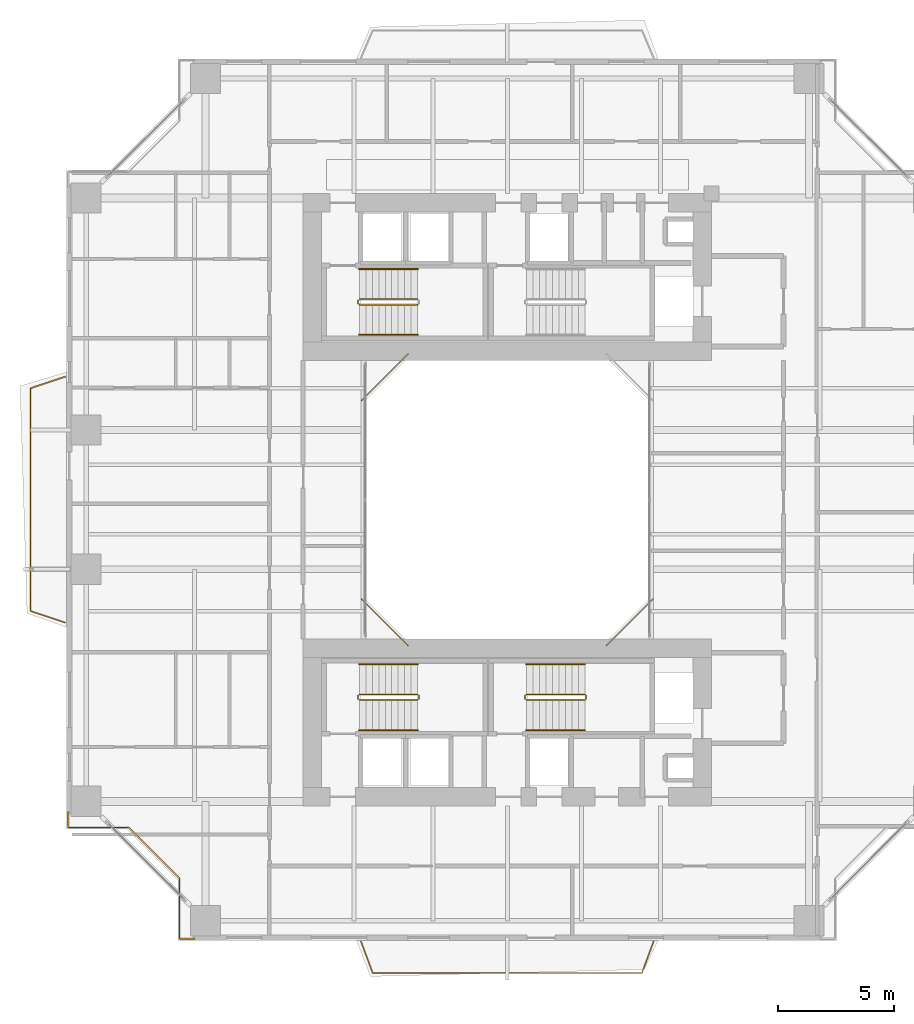
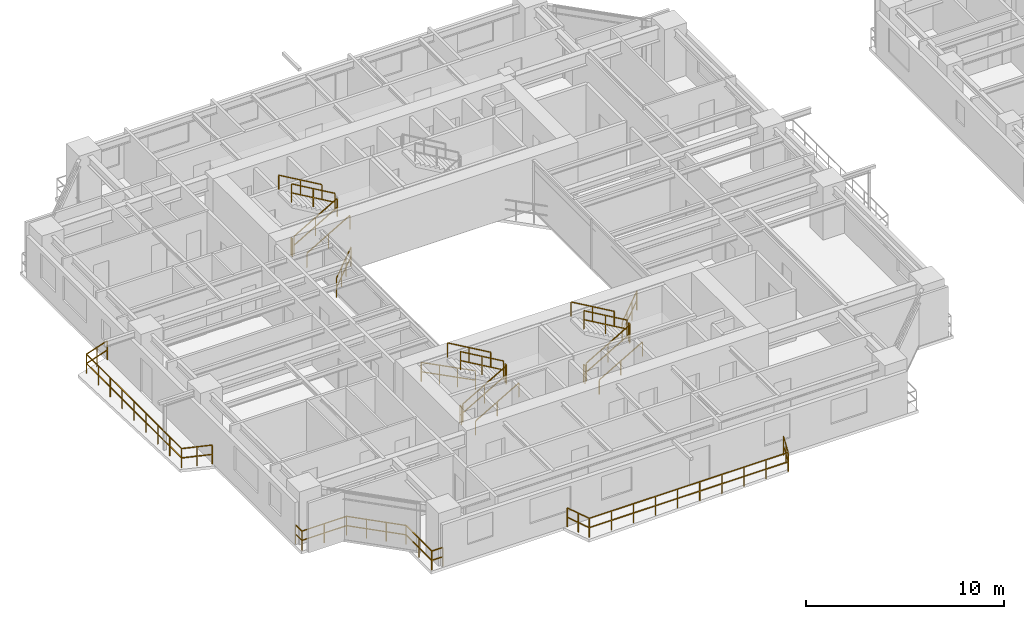
# One storey, part 20 of 23: 23 railings.
"""IFC4 building model written with IfcOpenShell, lengths in metres."""

from ifc_helpers import new_model, si_unit, direction, frame, origin, origin_2d, place, context, subcontext, project, spatial, rectangle, extrude, material, type_object, element, save


model = new_model("IFC4")

# Units and contexts
model_context = context("Model", 3, precision=1e-05, world=origin(), true_north=direction((0.0, 1.0)))
body_context = subcontext(model_context, "Body", "Model", "MODEL_VIEW")
ifc_project = project(units=[si_unit("LENGTHUNIT", "METRE"), si_unit("AREAUNIT", "SQUARE_METRE"), si_unit("VOLUMEUNIT", "CUBIC_METRE"), si_unit("PLANEANGLEUNIT", "RADIAN"), si_unit("MASSUNIT", "GRAM", prefix="KILO"), si_unit("THERMODYNAMICTEMPERATUREUNIT", "KELVIN"), si_unit("POWERUNIT", "WATT")], contexts=[model_context])

# Site, building, storey
site_placement = place(None, origin())
site = spatial("IfcSite", under=ifc_project, at=site_placement, CompositionType="ELEMENT")
building_placement = place(site_placement, origin())
building = spatial("IfcBuilding", under=site, at=building_placement, Name="Qiaomeng Ring Towers", CompositionType="ELEMENT")
storey_placement = place(building_placement, frame((0.0, 0.0, 60.0)))
storey = spatial("IfcBuildingStorey", under=building, at=storey_placement, Name="L16", CompositionType="ELEMENT", Elevation=60.0)

# Railings
ifc_material_1 = material(Name="Low-E pale-green laminated safety glass", Category="glass")
railing_type_1 = type_object("IfcRailingType", Name="ARC-RL-BAL1", PredefinedType="BALUSTRADE", material=ifc_material_1)
railing_1_placement = place(storey_placement, frame((23.280029296875, 16.719970703125, 0.0)))
element("IfcRailing", 1, at=railing_1_placement, inside=storey, type_object=railing_type_1, Name="L16 Balustrade ARC-BAL-WELL1-L16-1", PredefinedType="BALUSTRADE", context=body_context, shape_type="SweptSolid", body=[
    extrude(rectangle(XDim=0.048095703125, YDim=0.048095703125, at=origin_2d()), frame((0.0, 0.0, 1.17578125), z_axis=(0.707106781187, 0.707106781187, 0.0), x_axis=(-0.707106781187, 0.707106781187, 0.0)), (0.0, 0.0, 1.0), 2.828369140625),
    extrude(rectangle(XDim=0.048095703125, YDim=0.048095703125, at=origin_2d()), frame((0.0, 0.0, 0.60009765625), z_axis=(0.707106781187, 0.707106781187, 0.0), x_axis=(-0.707106781187, 0.707106781187, 0.0)), (0.0, 0.0, 1.0), 2.828369140625),
    extrude(rectangle(XDim=0.0419921875, YDim=0.0419921875, at=origin_2d()), origin(), (0.0, 0.0, 1.0), 1.15185546875),
    extrude(rectangle(XDim=0.0419921875, YDim=0.0419921875, at=origin_2d()), frame((0.666748046875, 0.666748046875, 0.0)), (0.0, 0.0, 1.0), 1.15185546875),
    extrude(rectangle(XDim=0.0419921875, YDim=0.0419921875, at=origin_2d()), frame((1.333251953125, 1.333251953125, 0.0)), (0.0, 0.0, 1.0), 1.15185546875),
    extrude(rectangle(XDim=0.0419921875, YDim=0.0419921875, at=origin_2d()), frame((2.0, 2.0, 0.0)), (0.0, 0.0, 1.0), 1.15185546875),
])
railing_2_placement = place(storey_placement, frame((14.719970703125, 29.280029296875, 0.0)))
element("IfcRailing", 2, at=railing_2_placement, inside=storey, type_object=railing_type_1, Name="L16 Balustrade ARC-BAL-WELL1-L16-3", PredefinedType="BALUSTRADE", context=body_context, shape_type="SweptSolid", body=[
    extrude(rectangle(XDim=0.048095703125, YDim=0.048095703125, at=origin_2d()), frame((0.0, 0.0, 1.17578125), z_axis=(-0.707106781187, -0.707106781187, 0.0), x_axis=(0.707106781187, -0.707106781187, 0.0)), (0.0, 0.0, 1.0), 2.828369140625),
    extrude(rectangle(XDim=0.048095703125, YDim=0.048095703125, at=origin_2d()), frame((0.0, 0.0, 0.60009765625), z_axis=(-0.707106781187, -0.707106781187, 0.0), x_axis=(0.707106781187, -0.707106781187, 0.0)), (0.0, 0.0, 1.0), 2.828369140625),
    extrude(rectangle(XDim=0.0419921875, YDim=0.0419921875, at=origin_2d()), origin(), (0.0, 0.0, 1.0), 1.15185546875),
    extrude(rectangle(XDim=0.0419921875, YDim=0.0419921875, at=origin_2d()), frame((-0.666748046875, -0.666748046875, 0.0)), (0.0, 0.0, 1.0), 1.15185546875),
    extrude(rectangle(XDim=0.0419921875, YDim=0.0419921875, at=origin_2d()), frame((-1.333251953125, -1.333251953125, 0.0)), (0.0, 0.0, 1.0), 1.15185546875),
    extrude(rectangle(XDim=0.0419921875, YDim=0.0419921875, at=origin_2d()), frame((-2.0, -2.0, 0.0)), (0.0, 0.0, 1.0), 1.15185546875),
])
railing_3_placement = place(storey_placement, frame((12.719970703125, 18.719970703125, 0.0)))
element("IfcRailing", 3, at=railing_3_placement, inside=storey, type_object=railing_type_1, Name="L16 Balustrade ARC-BAL-WELL1-L16-4", PredefinedType="BALUSTRADE", context=body_context, shape_type="SweptSolid", body=[
    extrude(rectangle(XDim=0.048095703125, YDim=0.048095703125, at=origin_2d()), frame((0.0, 0.0, 1.17578125), z_axis=(0.707106781187, -0.707106781187, 0.0), x_axis=(0.707106781187, 0.707106781187, 0.0)), (0.0, 0.0, 1.0), 2.828369140625),
    extrude(rectangle(XDim=0.048095703125, YDim=0.048095703125, at=origin_2d()), frame((0.0, 0.0, 0.60009765625), z_axis=(0.707106781187, -0.707106781187, 0.0), x_axis=(0.707106781187, 0.707106781187, 0.0)), (0.0, 0.0, 1.0), 2.828369140625),
    extrude(rectangle(XDim=0.0419921875, YDim=0.0419921875, at=origin_2d()), origin(), (0.0, 0.0, 1.0), 1.15185546875),
    extrude(rectangle(XDim=0.0419921875, YDim=0.0419921875, at=origin_2d()), frame((0.666748046875, -0.666748046875, 0.0)), (0.0, 0.0, 1.0), 1.15185546875),
    extrude(rectangle(XDim=0.0419921875, YDim=0.0419921875, at=origin_2d()), frame((1.333251953125, -1.333251953125, 0.0)), (0.0, 0.0, 1.0), 1.15185546875),
    extrude(rectangle(XDim=0.0419921875, YDim=0.0419921875, at=origin_2d()), frame((2.0, -2.0, 0.0)), (0.0, 0.0, 1.0), 1.15185546875),
])
railing_4_placement = place(storey_placement, frame((0.080078125, 9.530029296875, 0.0)))
element("IfcRailing", 4, at=railing_4_placement, inside=storey, type_object=railing_type_1, Name="L16 Balustrade ARC-BAL-NOTCH1-L16-SW", PredefinedType="BALUSTRADE", context=body_context, shape_type="SweptSolid", body=[
    extrude(rectangle(XDim=0.048095703125, YDim=0.048095703125, at=origin_2d()), frame((0.0, 0.0, 1.17578125), z_axis=(0.0, -1.0, 0.0), x_axis=(1.0, 0.0, 0.0)), (0.0, 0.0, 1.0), 0.650146484375),
    extrude(rectangle(XDim=0.048095703125, YDim=0.048095703125, at=origin_2d()), frame((0.0, 0.0, 0.60009765625), z_axis=(0.0, -1.0, 0.0), x_axis=(1.0, 0.0, 0.0)), (0.0, 0.0, 1.0), 0.650146484375),
    extrude(rectangle(XDim=0.048095703125, YDim=0.048095703125, at=origin_2d()), frame((0.0, -0.650146484375, 1.17578125), z_axis=(1.0, 0.0, 0.0), x_axis=(0.0, 1.0, 0.0)), (0.0, 0.0, 1.0), 2.599853515625),
    extrude(rectangle(XDim=0.048095703125, YDim=0.048095703125, at=origin_2d()), frame((0.0, -0.650146484375, 0.60009765625), z_axis=(1.0, 0.0, 0.0), x_axis=(0.0, 1.0, 0.0)), (0.0, 0.0, 1.0), 2.599853515625),
    extrude(rectangle(XDim=0.048095703125, YDim=0.048095703125, at=origin_2d()), frame((2.599853515625, -0.650146484375, 1.17578125), z_axis=(0.707106781187, -0.707106781187, 0.0), x_axis=(0.707106781187, 0.707106781187, 0.0)), (0.0, 0.0, 1.0), 3.111083984375),
    extrude(rectangle(XDim=0.048095703125, YDim=0.048095703125, at=origin_2d()), frame((2.599853515625, -0.650146484375, 0.60009765625), z_axis=(0.707106781187, -0.707106781187, 0.0), x_axis=(0.707106781187, 0.707106781187, 0.0)), (0.0, 0.0, 1.0), 3.111083984375),
    extrude(rectangle(XDim=0.048095703125, YDim=0.048095703125, at=origin_2d()), frame((4.7998046875, -2.85009765625, 1.17578125), z_axis=(0.0, -1.0, 0.0), x_axis=(1.0, 0.0, 0.0)), (0.0, 0.0, 1.0), 2.599853515625),
    extrude(rectangle(XDim=0.048095703125, YDim=0.048095703125, at=origin_2d()), frame((4.7998046875, -2.85009765625, 0.60009765625), z_axis=(0.0, -1.0, 0.0), x_axis=(1.0, 0.0, 0.0)), (0.0, 0.0, 1.0), 2.599853515625),
    extrude(rectangle(XDim=0.048095703125, YDim=0.048095703125, at=origin_2d()), frame((4.7998046875, -5.449951171875, 1.17578125), z_axis=(1.0, 0.0, 0.0), x_axis=(0.0, 1.0, 0.0)), (0.0, 0.0, 1.0), 0.650146484375),
    extrude(rectangle(XDim=0.048095703125, YDim=0.048095703125, at=origin_2d()), frame((4.7998046875, -5.449951171875, 0.60009765625), z_axis=(1.0, 0.0, 0.0), x_axis=(0.0, 1.0, 0.0)), (0.0, 0.0, 1.0), 0.650146484375),
    extrude(rectangle(XDim=0.0419921875, YDim=0.0419921875, at=origin_2d()), origin(), (0.0, 0.0, 1.0), 1.15185546875),
    extrude(rectangle(XDim=0.0419921875, YDim=0.0419921875, at=origin_2d()), frame((0.0, -0.650146484375, 0.0)), (0.0, 0.0, 1.0), 1.15185546875),
    extrude(rectangle(XDim=0.0419921875, YDim=0.0419921875, at=origin_2d()), frame((1.2998046875, -0.650146484375, 0.0)), (0.0, 0.0, 1.0), 1.15185546875),
    extrude(rectangle(XDim=0.0419921875, YDim=0.0419921875, at=origin_2d()), frame((2.599853515625, -0.650146484375, 0.0)), (0.0, 0.0, 1.0), 1.15185546875),
    extrude(rectangle(XDim=0.0419921875, YDim=0.0419921875, at=origin_2d()), frame((3.333251953125, -1.383544921875, 0.0)), (0.0, 0.0, 1.0), 1.15185546875),
    extrude(rectangle(XDim=0.0419921875, YDim=0.0419921875, at=origin_2d()), frame((4.06640625, -2.11669921875, 0.0)), (0.0, 0.0, 1.0), 1.15185546875),
    extrude(rectangle(XDim=0.0419921875, YDim=0.0419921875, at=origin_2d()), frame((4.7998046875, -2.85009765625, 0.0)), (0.0, 0.0, 1.0), 1.15185546875),
    extrude(rectangle(XDim=0.0419921875, YDim=0.0419921875, at=origin_2d()), frame((4.7998046875, -4.14990234375, 0.0)), (0.0, 0.0, 1.0), 1.15185546875),
    extrude(rectangle(XDim=0.0419921875, YDim=0.0419921875, at=origin_2d()), frame((4.7998046875, -5.449951171875, 0.0)), (0.0, 0.0, 1.0), 1.15185546875),
    extrude(rectangle(XDim=0.0419921875, YDim=0.0419921875, at=origin_2d()), frame((5.449951171875, -5.449951171875, 0.0)), (0.0, 0.0, 1.0), 1.15185546875),
])
railing_5_placement = place(storey_placement, frame((12.699951171875, 3.949951171875, 0.0)))
element("IfcRailing", 5, at=railing_5_placement, inside=storey, type_object=railing_type_1, Name="L16 Balustrade ARC-BAL-L16-T1-S", PredefinedType="BALUSTRADE", context=body_context, shape_type="SweptSolid", body=[
    extrude(rectangle(XDim=0.048095703125, YDim=0.048095703125, at=origin_2d()), frame((0.0, 0.0, 1.17578125), z_axis=(0.347347498827, -0.937736484871, 0.0), x_axis=(0.937736484871, 0.347347498827, 0.0)), (0.0, 0.0, 1.0), 1.439453125),
    extrude(rectangle(XDim=0.048095703125, YDim=0.048095703125, at=origin_2d()), frame((0.0, 0.0, 0.60009765625), z_axis=(0.347347498827, -0.937736484871, 0.0), x_axis=(0.937736484871, 0.347347498827, 0.0)), (0.0, 0.0, 1.0), 1.439453125),
    extrude(rectangle(XDim=0.048095703125, YDim=0.048095703125, at=origin_2d()), frame((0.5, -1.349853515625, 1.17578125), z_axis=(1.0, 0.0, 0.0), x_axis=(0.0, 1.0, 0.0)), (0.0, 0.0, 1.0), 11.60009765625),
    extrude(rectangle(XDim=0.048095703125, YDim=0.048095703125, at=origin_2d()), frame((0.5, -1.349853515625, 0.60009765625), z_axis=(1.0, 0.0, 0.0), x_axis=(0.0, 1.0, 0.0)), (0.0, 0.0, 1.0), 11.60009765625),
    extrude(rectangle(XDim=0.048095703125, YDim=0.048095703125, at=origin_2d()), frame((12.10009765625, -1.349853515625, 1.17578125), z_axis=(0.347347498827, 0.937736484871, 0.0), x_axis=(-0.937736484871, 0.347347498827, 0.0)), (0.0, 0.0, 1.0), 1.439453125),
    extrude(rectangle(XDim=0.048095703125, YDim=0.048095703125, at=origin_2d()), frame((12.10009765625, -1.349853515625, 0.60009765625), z_axis=(0.347347498827, 0.937736484871, 0.0), x_axis=(-0.937736484871, 0.347347498827, 0.0)), (0.0, 0.0, 1.0), 1.439453125),
    extrude(rectangle(XDim=0.0419921875, YDim=0.0419921875, at=origin_2d()), origin(), (0.0, 0.0, 1.0), 1.15185546875),
    extrude(rectangle(XDim=0.0419921875, YDim=0.0419921875, at=origin_2d()), frame((0.25, -0.6748046875, 0.0)), (0.0, 0.0, 1.0), 1.15185546875),
    extrude(rectangle(XDim=0.0419921875, YDim=0.0419921875, at=origin_2d()), frame((0.5, -1.349853515625, 0.0)), (0.0, 0.0, 1.0), 1.15185546875),
    extrude(rectangle(XDim=0.0419921875, YDim=0.0419921875, at=origin_2d()), frame((1.788818359375, -1.349853515625, 0.0)), (0.0, 0.0, 1.0), 1.15185546875),
    extrude(rectangle(XDim=0.0419921875, YDim=0.0419921875, at=origin_2d()), frame((3.077880859375, -1.349853515625, 0.0)), (0.0, 0.0, 1.0), 1.15185546875),
    extrude(rectangle(XDim=0.0419921875, YDim=0.0419921875, at=origin_2d()), frame((4.36669921875, -1.349853515625, 0.0)), (0.0, 0.0, 1.0), 1.15185546875),
    extrude(rectangle(XDim=0.0419921875, YDim=0.0419921875, at=origin_2d()), frame((5.655517578125, -1.349853515625, 0.0)), (0.0, 0.0, 1.0), 1.15185546875),
    extrude(rectangle(XDim=0.0419921875, YDim=0.0419921875, at=origin_2d()), frame((6.944580078125, -1.349853515625, 0.0)), (0.0, 0.0, 1.0), 1.15185546875),
    extrude(rectangle(XDim=0.0419921875, YDim=0.0419921875, at=origin_2d()), frame((8.2333984375, -1.349853515625, 0.0)), (0.0, 0.0, 1.0), 1.15185546875),
    extrude(rectangle(XDim=0.0419921875, YDim=0.0419921875, at=origin_2d()), frame((9.522216796875, -1.349853515625, 0.0)), (0.0, 0.0, 1.0), 1.15185546875),
    extrude(rectangle(XDim=0.0419921875, YDim=0.0419921875, at=origin_2d()), frame((10.811279296875, -1.349853515625, 0.0)), (0.0, 0.0, 1.0), 1.15185546875),
    extrude(rectangle(XDim=0.0419921875, YDim=0.0419921875, at=origin_2d()), frame((12.10009765625, -1.349853515625, 0.0)), (0.0, 0.0, 1.0), 1.15185546875),
    extrude(rectangle(XDim=0.0419921875, YDim=0.0419921875, at=origin_2d()), frame((12.35009765625, -0.6748046875, 0.0)), (0.0, 0.0, 1.0), 1.15185546875),
    extrude(rectangle(XDim=0.0419921875, YDim=0.0419921875, at=origin_2d()), frame((12.60009765625, 0.0, 0.0)), (0.0, 0.0, 1.0), 1.15185546875),
])
railing_6_placement = place(storey_placement, frame((-0.050048828125, 17.699951171875, 0.0)))
element("IfcRailing", 6, at=railing_6_placement, inside=storey, type_object=railing_type_1, Name="L16 Balustrade ARC-BAL-L16-T1-W", PredefinedType="BALUSTRADE", context=body_context, shape_type="SweptSolid", body=[
    extrude(rectangle(XDim=0.048095703125, YDim=0.048095703125, at=origin_2d()), frame((0.0, 0.0, 1.17578125), z_axis=(-0.948683298051, 0.316227766017, 0.0), x_axis=(-0.316227766017, -0.948683298051, 0.0)), (0.0, 0.0, 1.0), 1.5810546875),
    extrude(rectangle(XDim=0.048095703125, YDim=0.048095703125, at=origin_2d()), frame((0.0, 0.0, 0.60009765625), z_axis=(-0.948683298051, 0.316227766017, 0.0), x_axis=(-0.316227766017, -0.948683298051, 0.0)), (0.0, 0.0, 1.0), 1.5810546875),
    extrude(rectangle(XDim=0.048095703125, YDim=0.048095703125, at=origin_2d()), frame((-1.5, 0.5, 1.17578125), z_axis=(0.0, 1.0, 0.0), x_axis=(-1.0, 0.0, 0.0)), (0.0, 0.0, 1.0), 9.60009765625),
    extrude(rectangle(XDim=0.048095703125, YDim=0.048095703125, at=origin_2d()), frame((-1.5, 0.5, 0.60009765625), z_axis=(0.0, 1.0, 0.0), x_axis=(-1.0, 0.0, 0.0)), (0.0, 0.0, 1.0), 9.60009765625),
    extrude(rectangle(XDim=0.048095703125, YDim=0.048095703125, at=origin_2d()), frame((-1.5, 10.10009765625, 1.17578125), z_axis=(0.948683298051, 0.316227766017, 0.0), x_axis=(-0.316227766017, 0.948683298051, 0.0)), (0.0, 0.0, 1.0), 1.5810546875),
    extrude(rectangle(XDim=0.048095703125, YDim=0.048095703125, at=origin_2d()), frame((-1.5, 10.10009765625, 0.60009765625), z_axis=(0.948683298051, 0.316227766017, 0.0), x_axis=(-0.316227766017, 0.948683298051, 0.0)), (0.0, 0.0, 1.0), 1.5810546875),
    extrude(rectangle(XDim=0.0419921875, YDim=0.0419921875, at=origin_2d()), origin(), (0.0, 0.0, 1.0), 1.15185546875),
    extrude(rectangle(XDim=0.0419921875, YDim=0.0419921875, at=origin_2d()), frame((-0.75, 0.25, 0.0)), (0.0, 0.0, 1.0), 1.15185546875),
    extrude(rectangle(XDim=0.0419921875, YDim=0.0419921875, at=origin_2d()), frame((-1.5, 0.5, 0.0)), (0.0, 0.0, 1.0), 1.15185546875),
    extrude(rectangle(XDim=0.0419921875, YDim=0.0419921875, at=origin_2d()), frame((-1.5, 1.699951171875, 0.0)), (0.0, 0.0, 1.0), 1.15185546875),
    extrude(rectangle(XDim=0.0419921875, YDim=0.0419921875, at=origin_2d()), frame((-1.5, 2.89990234375, 0.0)), (0.0, 0.0, 1.0), 1.15185546875),
    extrude(rectangle(XDim=0.0419921875, YDim=0.0419921875, at=origin_2d()), frame((-1.5, 4.10009765625, 0.0)), (0.0, 0.0, 1.0), 1.15185546875),
    extrude(rectangle(XDim=0.0419921875, YDim=0.0419921875, at=origin_2d()), frame((-1.5, 5.300048828125, 0.0)), (0.0, 0.0, 1.0), 1.15185546875),
    extrude(rectangle(XDim=0.0419921875, YDim=0.0419921875, at=origin_2d()), frame((-1.5, 6.5, 0.0)), (0.0, 0.0, 1.0), 1.15185546875),
    extrude(rectangle(XDim=0.0419921875, YDim=0.0419921875, at=origin_2d()), frame((-1.5, 7.7001953125, 0.0)), (0.0, 0.0, 1.0), 1.15185546875),
    extrude(rectangle(XDim=0.0419921875, YDim=0.0419921875, at=origin_2d()), frame((-1.5, 8.900146484375, 0.0)), (0.0, 0.0, 1.0), 1.15185546875),
    extrude(rectangle(XDim=0.0419921875, YDim=0.0419921875, at=origin_2d()), frame((-1.5, 10.10009765625, 0.0)), (0.0, 0.0, 1.0), 1.15185546875),
    extrude(rectangle(XDim=0.0419921875, YDim=0.0419921875, at=origin_2d()), frame((-0.75, 10.35009765625, 0.0)), (0.0, 0.0, 1.0), 1.15185546875),
    extrude(rectangle(XDim=0.0419921875, YDim=0.0419921875, at=origin_2d()), frame((0.0, 10.60009765625, 0.0)), (0.0, 0.0, 1.0), 1.15185546875),
])
ifc_material_2 = material(Name="Galvanised steel", Category="steel")
railing_type_2 = type_object("IfcRailingType", Name="ARC-RL-GUARD", PredefinedType="GUARDRAIL", material=ifc_material_2)
railing_7_placement = place(storey_placement, frame((12.6201171875, 31.39990234375, 0.16259765625)))
element("IfcRailing", 7, at=railing_7_placement, inside=storey, type_object=railing_type_2, Name="L16 ST1 stair guard 1", PredefinedType="GUARDRAIL", context=body_context, shape_type="SweptSolid", body=[
    extrude(rectangle(XDim=0.048095703125, YDim=0.048095703125, at=origin_2d()), frame((0.0, 0.0, 1.1259765625), z_axis=(0.864892226395, 0.0, 0.501957604506), x_axis=(0.0, 1.0, 0.0)), (0.0, 0.0, 1.0), 2.913330078125),
    extrude(rectangle(XDim=0.048095703125, YDim=0.048095703125, at=origin_2d()), frame((0.0, 0.0, 0.574951171875), z_axis=(0.864892226395, 0.0, 0.501957604506), x_axis=(0.0, 1.0, 0.0)), (0.0, 0.0, 1.0), 2.913330078125),
    extrude(rectangle(XDim=0.0419921875, YDim=0.0419921875, at=origin_2d()), origin(), (0.0, 0.0, 1.0), 1.101806640625),
    extrude(rectangle(XDim=0.0419921875, YDim=0.0419921875, at=origin_2d()), frame((1.259765625, 0.0, 0.731201171875)), (0.0, 0.0, 1.0), 1.101806640625),
    extrude(rectangle(XDim=0.0419921875, YDim=0.0419921875, at=origin_2d()), frame((2.519775390625, 0.0, 1.46240234375)), (0.0, 0.0, 1.0), 1.101806640625),
])
railing_8_placement = place(storey_placement, frame((15.139892578125, 31.639892578125, 1.78759765625)))
element("IfcRailing", 8, at=railing_8_placement, inside=storey, type_object=railing_type_2, Name="L16 ST1 stair guard 3", PredefinedType="GUARDRAIL", context=body_context, shape_type="SweptSolid", body=[
    extrude(rectangle(XDim=0.048095703125, YDim=0.048095703125, at=origin_2d()), frame((0.0, 0.0, 1.1259765625), z_axis=(-0.864892226395, 0.0, 0.501957604506), x_axis=(0.0, -1.0, 0.0)), (0.0, 0.0, 1.0), 2.913330078125),
    extrude(rectangle(XDim=0.048095703125, YDim=0.048095703125, at=origin_2d()), frame((0.0, 0.0, 0.574951171875), z_axis=(-0.864892226395, 0.0, 0.501957604506), x_axis=(0.0, -1.0, 0.0)), (0.0, 0.0, 1.0), 2.913330078125),
    extrude(rectangle(XDim=0.0419921875, YDim=0.0419921875, at=origin_2d()), origin(), (0.0, 0.0, 1.0), 1.101806640625),
    extrude(rectangle(XDim=0.0419921875, YDim=0.0419921875, at=origin_2d()), frame((-1.259765625, 0.0, 0.731201171875)), (0.0, 0.0, 1.0), 1.101806640625),
    extrude(rectangle(XDim=0.0419921875, YDim=0.0419921875, at=origin_2d()), frame((-2.519775390625, 0.0, 1.46240234375)), (0.0, 0.0, 1.0), 1.101806640625),
])
railing_9_placement = place(storey_placement, frame((12.570068359375, 31.449951171875, 0.0)))
element("IfcRailing", 9, at=railing_9_placement, inside=storey, type_object=railing_type_2, Name="L16 ST1 stair guard 4", PredefinedType="GUARDRAIL", context=body_context, shape_type="SweptSolid", body=[
    extrude(rectangle(XDim=0.048095703125, YDim=0.048095703125, at=origin_2d()), frame((0.0, 0.0, 1.1259765625), z_axis=(0.0, 1.0, 0.0), x_axis=(-1.0, 0.0, 0.0)), (0.0, 0.0, 1.0), 0.14013671875),
    extrude(rectangle(XDim=0.048095703125, YDim=0.048095703125, at=origin_2d()), frame((0.0, 0.0, 0.574951171875), z_axis=(0.0, 1.0, 0.0), x_axis=(-1.0, 0.0, 0.0)), (0.0, 0.0, 1.0), 0.14013671875),
    extrude(rectangle(XDim=0.0419921875, YDim=0.0419921875, at=origin_2d()), origin(), (0.0, 0.0, 1.0), 1.101806640625),
    extrude(rectangle(XDim=0.0419921875, YDim=0.0419921875, at=origin_2d()), frame((0.0, 0.14013671875, 0.0)), (0.0, 0.0, 1.0), 1.101806640625),
])
railing_10_placement = place(storey_placement, frame((12.6201171875, 14.360107421875, 0.16259765625)))
element("IfcRailing", 10, at=railing_10_placement, inside=storey, type_object=railing_type_2, Name="L16 ST3 stair guard 1", PredefinedType="GUARDRAIL", context=body_context, shape_type="SweptSolid", body=[
    extrude(rectangle(XDim=0.048095703125, YDim=0.048095703125, at=origin_2d()), frame((0.0, 0.0, 1.1259765625), z_axis=(0.864892226395, 0.0, 0.501957604506), x_axis=(0.0, 1.0, 0.0)), (0.0, 0.0, 1.0), 2.913330078125),
    extrude(rectangle(XDim=0.048095703125, YDim=0.048095703125, at=origin_2d()), frame((0.0, 0.0, 0.574951171875), z_axis=(0.864892226395, 0.0, 0.501957604506), x_axis=(0.0, 1.0, 0.0)), (0.0, 0.0, 1.0), 2.913330078125),
    extrude(rectangle(XDim=0.0419921875, YDim=0.0419921875, at=origin_2d()), origin(), (0.0, 0.0, 1.0), 1.101806640625),
    extrude(rectangle(XDim=0.0419921875, YDim=0.0419921875, at=origin_2d()), frame((1.259765625, 0.0, 0.731201171875)), (0.0, 0.0, 1.0), 1.101806640625),
    extrude(rectangle(XDim=0.0419921875, YDim=0.0419921875, at=origin_2d()), frame((2.519775390625, 0.0, 1.46240234375)), (0.0, 0.0, 1.0), 1.101806640625),
])
railing_11_placement = place(storey_placement, frame((15.18994140625, 14.409912109375, 1.625)))
element("IfcRailing", 11, at=railing_11_placement, inside=storey, type_object=railing_type_2, Name="L16 ST3 stair guard 2", PredefinedType="GUARDRAIL", context=body_context, shape_type="SweptSolid", body=[
    extrude(rectangle(XDim=0.048095703125, YDim=0.048095703125, at=origin_2d()), frame((0.0, 0.0, 1.1259765625), z_axis=(0.0, 1.0, 0.0), x_axis=(-1.0, 0.0, 0.0)), (0.0, 0.0, 1.0), 0.14013671875),
    extrude(rectangle(XDim=0.048095703125, YDim=0.048095703125, at=origin_2d()), frame((0.0, 0.0, 0.574951171875), z_axis=(0.0, 1.0, 0.0), x_axis=(-1.0, 0.0, 0.0)), (0.0, 0.0, 1.0), 0.14013671875),
    extrude(rectangle(XDim=0.0419921875, YDim=0.0419921875, at=origin_2d()), origin(), (0.0, 0.0, 1.0), 1.101806640625),
    extrude(rectangle(XDim=0.0419921875, YDim=0.0419921875, at=origin_2d()), frame((0.0, 0.14013671875, 0.0)), (0.0, 0.0, 1.0), 1.101806640625),
])
railing_12_placement = place(storey_placement, frame((15.139892578125, 14.60009765625, 1.78759765625)))
element("IfcRailing", 12, at=railing_12_placement, inside=storey, type_object=railing_type_2, Name="L16 ST3 stair guard 3", PredefinedType="GUARDRAIL", context=body_context, shape_type="SweptSolid", body=[
    extrude(rectangle(XDim=0.048095703125, YDim=0.048095703125, at=origin_2d()), frame((0.0, 0.0, 1.1259765625), z_axis=(-0.864892226395, 0.0, 0.501957604506), x_axis=(0.0, -1.0, 0.0)), (0.0, 0.0, 1.0), 2.913330078125),
    extrude(rectangle(XDim=0.048095703125, YDim=0.048095703125, at=origin_2d()), frame((0.0, 0.0, 0.574951171875), z_axis=(-0.864892226395, 0.0, 0.501957604506), x_axis=(0.0, -1.0, 0.0)), (0.0, 0.0, 1.0), 2.913330078125),
    extrude(rectangle(XDim=0.0419921875, YDim=0.0419921875, at=origin_2d()), origin(), (0.0, 0.0, 1.0), 1.101806640625),
    extrude(rectangle(XDim=0.0419921875, YDim=0.0419921875, at=origin_2d()), frame((-1.259765625, 0.0, 0.731201171875)), (0.0, 0.0, 1.0), 1.101806640625),
    extrude(rectangle(XDim=0.0419921875, YDim=0.0419921875, at=origin_2d()), frame((-2.519775390625, 0.0, 1.46240234375)), (0.0, 0.0, 1.0), 1.101806640625),
])
railing_13_placement = place(storey_placement, frame((12.570068359375, 14.409912109375, 0.0)))
element("IfcRailing", 13, at=railing_13_placement, inside=storey, type_object=railing_type_2, Name="L16 ST3 stair guard 4", PredefinedType="GUARDRAIL", context=body_context, shape_type="SweptSolid", body=[
    extrude(rectangle(XDim=0.048095703125, YDim=0.048095703125, at=origin_2d()), frame((0.0, 0.0, 1.1259765625), z_axis=(0.0, 1.0, 0.0), x_axis=(-1.0, 0.0, 0.0)), (0.0, 0.0, 1.0), 0.14013671875),
    extrude(rectangle(XDim=0.048095703125, YDim=0.048095703125, at=origin_2d()), frame((0.0, 0.0, 0.574951171875), z_axis=(0.0, 1.0, 0.0), x_axis=(-1.0, 0.0, 0.0)), (0.0, 0.0, 1.0), 0.14013671875),
    extrude(rectangle(XDim=0.0419921875, YDim=0.0419921875, at=origin_2d()), origin(), (0.0, 0.0, 1.0), 1.101806640625),
    extrude(rectangle(XDim=0.0419921875, YDim=0.0419921875, at=origin_2d()), frame((0.0, 0.14013671875, 0.0)), (0.0, 0.0, 1.0), 1.101806640625),
])
railing_14_placement = place(storey_placement, frame((19.820068359375, 14.360107421875, 0.16259765625)))
element("IfcRailing", 14, at=railing_14_placement, inside=storey, type_object=railing_type_2, Name="L16 ST4 stair guard 1", PredefinedType="GUARDRAIL", context=body_context, shape_type="SweptSolid", body=[
    extrude(rectangle(XDim=0.048095703125, YDim=0.048095703125, at=origin_2d()), frame((0.0, 0.0, 1.1259765625), z_axis=(0.864913338283, 0.0, 0.50192122615), x_axis=(0.0, 1.0, 0.0)), (0.0, 0.0, 1.0), 2.91357421875),
    extrude(rectangle(XDim=0.048095703125, YDim=0.048095703125, at=origin_2d()), frame((0.0, 0.0, 0.574951171875), z_axis=(0.864913338283, 0.0, 0.50192122615), x_axis=(0.0, 1.0, 0.0)), (0.0, 0.0, 1.0), 2.91357421875),
    extrude(rectangle(XDim=0.0419921875, YDim=0.0419921875, at=origin_2d()), origin(), (0.0, 0.0, 1.0), 1.101806640625),
    extrude(rectangle(XDim=0.0419921875, YDim=0.0419921875, at=origin_2d()), frame((1.260009765625, 0.0, 0.731201171875)), (0.0, 0.0, 1.0), 1.101806640625),
    extrude(rectangle(XDim=0.0419921875, YDim=0.0419921875, at=origin_2d()), frame((2.52001953125, 0.0, 1.46240234375)), (0.0, 0.0, 1.0), 1.101806640625),
])
railing_15_placement = place(storey_placement, frame((22.389892578125, 14.409912109375, 1.625)))
element("IfcRailing", 15, at=railing_15_placement, inside=storey, type_object=railing_type_2, Name="L16 ST4 stair guard 2", PredefinedType="GUARDRAIL", context=body_context, shape_type="SweptSolid", body=[
    extrude(rectangle(XDim=0.048095703125, YDim=0.048095703125, at=origin_2d()), frame((0.0, 0.0, 1.1259765625), z_axis=(0.0, 1.0, 0.0), x_axis=(-1.0, 0.0, 0.0)), (0.0, 0.0, 1.0), 0.14013671875),
    extrude(rectangle(XDim=0.048095703125, YDim=0.048095703125, at=origin_2d()), frame((0.0, 0.0, 0.574951171875), z_axis=(0.0, 1.0, 0.0), x_axis=(-1.0, 0.0, 0.0)), (0.0, 0.0, 1.0), 0.14013671875),
    extrude(rectangle(XDim=0.0419921875, YDim=0.0419921875, at=origin_2d()), origin(), (0.0, 0.0, 1.0), 1.101806640625),
    extrude(rectangle(XDim=0.0419921875, YDim=0.0419921875, at=origin_2d()), frame((0.0, 0.14013671875, 0.0)), (0.0, 0.0, 1.0), 1.101806640625),
])
railing_16_placement = place(storey_placement, frame((22.340087890625, 14.60009765625, 1.78759765625)))
element("IfcRailing", 16, at=railing_16_placement, inside=storey, type_object=railing_type_2, Name="L16 ST4 stair guard 3", PredefinedType="GUARDRAIL", context=body_context, shape_type="SweptSolid", body=[
    extrude(rectangle(XDim=0.048095703125, YDim=0.048095703125, at=origin_2d()), frame((0.0, 0.0, 1.1259765625), z_axis=(-0.864913338283, 0.0, 0.50192122615), x_axis=(0.0, -1.0, 0.0)), (0.0, 0.0, 1.0), 2.91357421875),
    extrude(rectangle(XDim=0.048095703125, YDim=0.048095703125, at=origin_2d()), frame((0.0, 0.0, 0.574951171875), z_axis=(-0.864913338283, 0.0, 0.50192122615), x_axis=(0.0, -1.0, 0.0)), (0.0, 0.0, 1.0), 2.91357421875),
    extrude(rectangle(XDim=0.0419921875, YDim=0.0419921875, at=origin_2d()), origin(), (0.0, 0.0, 1.0), 1.101806640625),
    extrude(rectangle(XDim=0.0419921875, YDim=0.0419921875, at=origin_2d()), frame((-1.260009765625, 0.0, 0.731201171875)), (0.0, 0.0, 1.0), 1.101806640625),
    extrude(rectangle(XDim=0.0419921875, YDim=0.0419921875, at=origin_2d()), frame((-2.52001953125, 0.0, 1.46240234375)), (0.0, 0.0, 1.0), 1.101806640625),
])
railing_17_placement = place(storey_placement, frame((19.77001953125, 14.409912109375, 0.0)))
element("IfcRailing", 17, at=railing_17_placement, inside=storey, type_object=railing_type_2, Name="L16 ST4 stair guard 4", PredefinedType="GUARDRAIL", context=body_context, shape_type="SweptSolid", body=[
    extrude(rectangle(XDim=0.048095703125, YDim=0.048095703125, at=origin_2d()), frame((0.0, 0.0, 1.1259765625), z_axis=(0.0, 1.0, 0.0), x_axis=(-1.0, 0.0, 0.0)), (0.0, 0.0, 1.0), 0.14013671875),
    extrude(rectangle(XDim=0.048095703125, YDim=0.048095703125, at=origin_2d()), frame((0.0, 0.0, 0.574951171875), z_axis=(0.0, 1.0, 0.0), x_axis=(-1.0, 0.0, 0.0)), (0.0, 0.0, 1.0), 0.14013671875),
    extrude(rectangle(XDim=0.0419921875, YDim=0.0419921875, at=origin_2d()), origin(), (0.0, 0.0, 1.0), 1.101806640625),
    extrude(rectangle(XDim=0.0419921875, YDim=0.0419921875, at=origin_2d()), frame((0.0, 0.14013671875, 0.0)), (0.0, 0.0, 1.0), 1.101806640625),
])
ifc_material_3 = material(Name="Stainless steel 316", Category="steel")
railing_type_3 = type_object("IfcRailingType", Name="ARC-RL-HAND", PredefinedType="HANDRAIL", material=ifc_material_3)
railing_18_placement = place(storey_placement, frame((12.6201171875, 30.10009765625, 0.16259765625)))
element("IfcRailing", 18, at=railing_18_placement, inside=storey, type_object=railing_type_3, Name="L16 ST1 stair handrail 1", PredefinedType="HANDRAIL", context=body_context, shape_type="SweptSolid", body=[
    extrude(rectangle(XDim=0.048095703125, YDim=0.048095703125, at=origin_2d()), frame((0.0, 0.0, 0.8759765625), z_axis=(0.864892226395, 0.0, 0.501957604506), x_axis=(0.0, 1.0, 0.0)), (0.0, 0.0, 1.0), 2.913330078125),
    extrude(rectangle(XDim=0.0419921875, YDim=0.0419921875, at=origin_2d()), origin(), (0.0, 0.0, 1.0), 0.851806640625),
    extrude(rectangle(XDim=0.0419921875, YDim=0.0419921875, at=origin_2d()), frame((1.259765625, 0.0, 0.731201171875)), (0.0, 0.0, 1.0), 0.851806640625),
    extrude(rectangle(XDim=0.0419921875, YDim=0.0419921875, at=origin_2d()), frame((2.519775390625, 0.0, 1.46240234375)), (0.0, 0.0, 1.0), 0.851806640625),
])
railing_19_placement = place(storey_placement, frame((15.139892578125, 32.93994140625, 1.78759765625)))
element("IfcRailing", 19, at=railing_19_placement, inside=storey, type_object=railing_type_3, Name="L16 ST1 stair handrail 2", PredefinedType="HANDRAIL", context=body_context, shape_type="SweptSolid", body=[
    extrude(rectangle(XDim=0.048095703125, YDim=0.048095703125, at=origin_2d()), frame((0.0, 0.0, 0.8759765625), z_axis=(-0.864892226395, 0.0, 0.501957604506), x_axis=(0.0, -1.0, 0.0)), (0.0, 0.0, 1.0), 2.913330078125),
    extrude(rectangle(XDim=0.0419921875, YDim=0.0419921875, at=origin_2d()), origin(), (0.0, 0.0, 1.0), 0.851806640625),
    extrude(rectangle(XDim=0.0419921875, YDim=0.0419921875, at=origin_2d()), frame((-1.259765625, 0.0, 0.731201171875)), (0.0, 0.0, 1.0), 0.851806640625),
    extrude(rectangle(XDim=0.0419921875, YDim=0.0419921875, at=origin_2d()), frame((-2.519775390625, 0.0, 1.46240234375)), (0.0, 0.0, 1.0), 0.851806640625),
])
railing_20_placement = place(storey_placement, frame((12.6201171875, 13.06005859375, 0.16259765625)))
element("IfcRailing", 20, at=railing_20_placement, inside=storey, type_object=railing_type_3, Name="L16 ST3 stair handrail 1", PredefinedType="HANDRAIL", context=body_context, shape_type="SweptSolid", body=[
    extrude(rectangle(XDim=0.048095703125, YDim=0.048095703125, at=origin_2d()), frame((0.0, 0.0, 0.8759765625), z_axis=(0.864892226395, 0.0, 0.501957604506), x_axis=(0.0, 1.0, 0.0)), (0.0, 0.0, 1.0), 2.913330078125),
    extrude(rectangle(XDim=0.0419921875, YDim=0.0419921875, at=origin_2d()), origin(), (0.0, 0.0, 1.0), 0.851806640625),
    extrude(rectangle(XDim=0.0419921875, YDim=0.0419921875, at=origin_2d()), frame((1.259765625, 0.0, 0.731201171875)), (0.0, 0.0, 1.0), 0.851806640625),
    extrude(rectangle(XDim=0.0419921875, YDim=0.0419921875, at=origin_2d()), frame((2.519775390625, 0.0, 1.46240234375)), (0.0, 0.0, 1.0), 0.851806640625),
])
railing_21_placement = place(storey_placement, frame((15.139892578125, 15.89990234375, 1.78759765625)))
element("IfcRailing", 21, at=railing_21_placement, inside=storey, type_object=railing_type_3, Name="L16 ST3 stair handrail 2", PredefinedType="HANDRAIL", context=body_context, shape_type="SweptSolid", body=[
    extrude(rectangle(XDim=0.048095703125, YDim=0.048095703125, at=origin_2d()), frame((0.0, 0.0, 0.8759765625), z_axis=(-0.864892226395, 0.0, 0.501957604506), x_axis=(0.0, -1.0, 0.0)), (0.0, 0.0, 1.0), 2.913330078125),
    extrude(rectangle(XDim=0.0419921875, YDim=0.0419921875, at=origin_2d()), origin(), (0.0, 0.0, 1.0), 0.851806640625),
    extrude(rectangle(XDim=0.0419921875, YDim=0.0419921875, at=origin_2d()), frame((-1.259765625, 0.0, 0.731201171875)), (0.0, 0.0, 1.0), 0.851806640625),
    extrude(rectangle(XDim=0.0419921875, YDim=0.0419921875, at=origin_2d()), frame((-2.519775390625, 0.0, 1.46240234375)), (0.0, 0.0, 1.0), 0.851806640625),
])
railing_22_placement = place(storey_placement, frame((19.820068359375, 13.06005859375, 0.16259765625)))
element("IfcRailing", 22, at=railing_22_placement, inside=storey, type_object=railing_type_3, Name="L16 ST4 stair handrail 1", PredefinedType="HANDRAIL", context=body_context, shape_type="SweptSolid", body=[
    extrude(rectangle(XDim=0.048095703125, YDim=0.048095703125, at=origin_2d()), frame((0.0, 0.0, 0.8759765625), z_axis=(0.864913338283, 0.0, 0.50192122615), x_axis=(0.0, 1.0, 0.0)), (0.0, 0.0, 1.0), 2.91357421875),
    extrude(rectangle(XDim=0.0419921875, YDim=0.0419921875, at=origin_2d()), origin(), (0.0, 0.0, 1.0), 0.851806640625),
    extrude(rectangle(XDim=0.0419921875, YDim=0.0419921875, at=origin_2d()), frame((1.260009765625, 0.0, 0.731201171875)), (0.0, 0.0, 1.0), 0.851806640625),
    extrude(rectangle(XDim=0.0419921875, YDim=0.0419921875, at=origin_2d()), frame((2.52001953125, 0.0, 1.46240234375)), (0.0, 0.0, 1.0), 0.851806640625),
])
railing_23_placement = place(storey_placement, frame((22.340087890625, 15.89990234375, 1.78759765625)))
element("IfcRailing", 23, at=railing_23_placement, inside=storey, type_object=railing_type_3, Name="L16 ST4 stair handrail 2", PredefinedType="HANDRAIL", context=body_context, shape_type="SweptSolid", body=[
    extrude(rectangle(XDim=0.048095703125, YDim=0.048095703125, at=origin_2d()), frame((0.0, 0.0, 0.8759765625), z_axis=(-0.864913338283, 0.0, 0.50192122615), x_axis=(0.0, -1.0, 0.0)), (0.0, 0.0, 1.0), 2.91357421875),
    extrude(rectangle(XDim=0.0419921875, YDim=0.0419921875, at=origin_2d()), origin(), (0.0, 0.0, 1.0), 0.851806640625),
    extrude(rectangle(XDim=0.0419921875, YDim=0.0419921875, at=origin_2d()), frame((-1.260009765625, 0.0, 0.731201171875)), (0.0, 0.0, 1.0), 0.851806640625),
    extrude(rectangle(XDim=0.0419921875, YDim=0.0419921875, at=origin_2d()), frame((-2.52001953125, 0.0, 1.46240234375)), (0.0, 0.0, 1.0), 0.851806640625),
])

save(model, "model.ifc")
